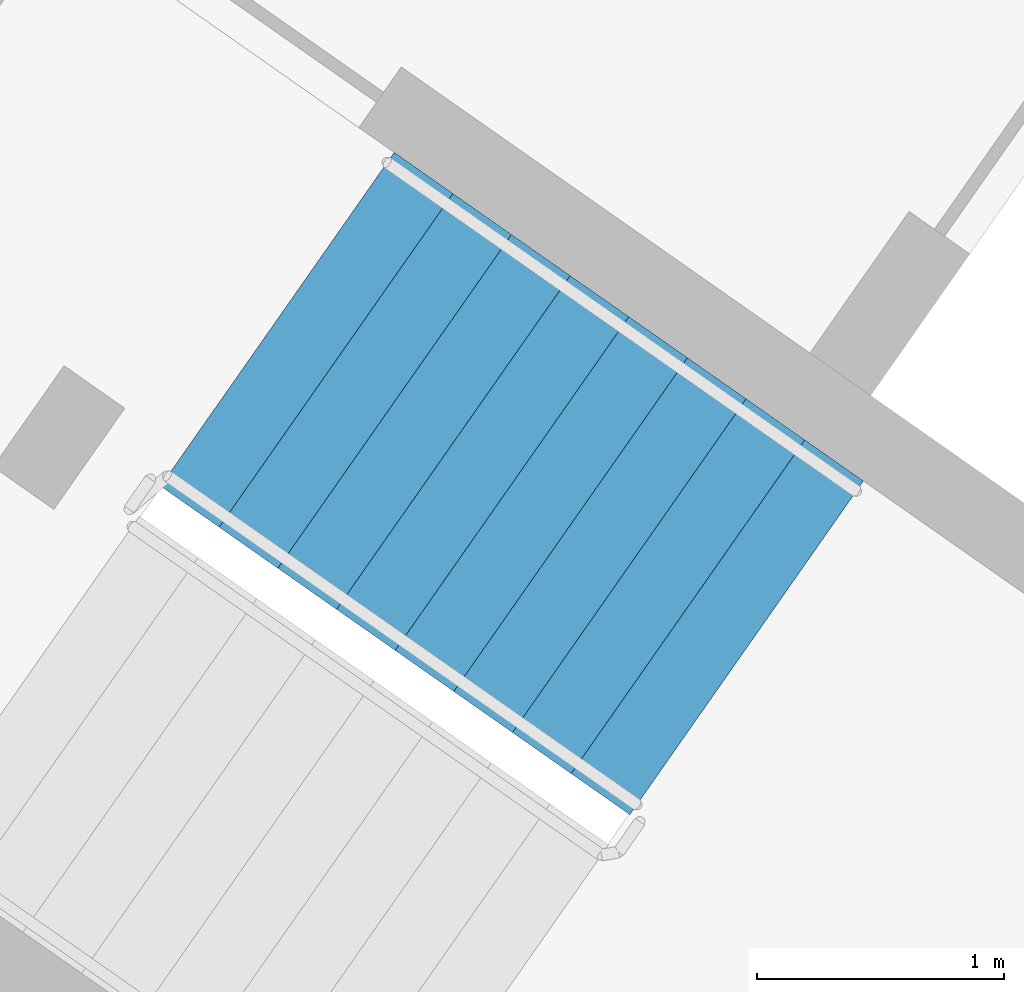
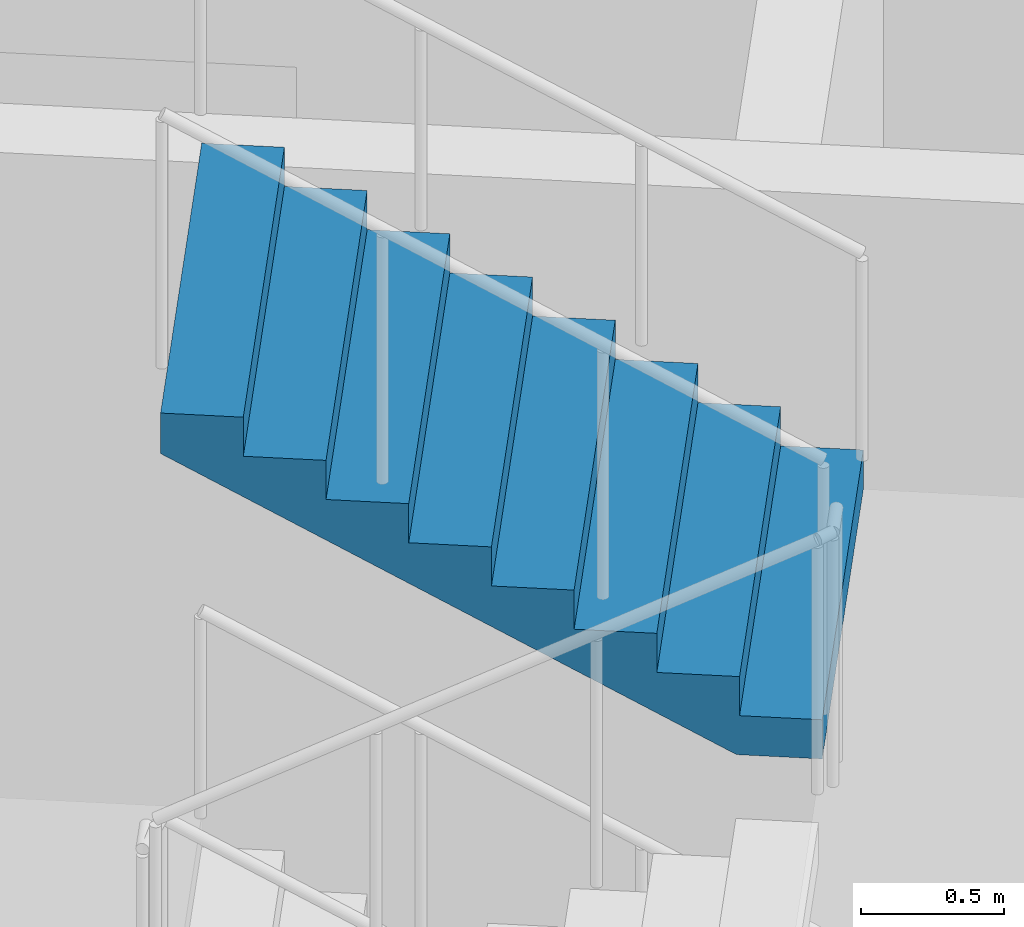
# One storey, part 9 of 41: 1 stair flight, 1 element without a shape of its own.
"""IFC4 building model written with IfcOpenShell, lengths in metres."""

from ifc_helpers import new_model, si_unit, direction, frame, origin, place, context, subcontext, project, spatial, faceted_brep, material, type_object, element, aggregate, save


model = new_model("IFC4")

# Units and contexts
model_context = context("Model", 3, precision=1e-05, world=origin(), true_north=direction((0.0, 1.0)))
body_context = subcontext(model_context, "Body", "Model", "MODEL_VIEW")
ifc_project = project(units=[si_unit("LENGTHUNIT", "METRE"), si_unit("AREAUNIT", "SQUARE_METRE"), si_unit("VOLUMEUNIT", "CUBIC_METRE"), si_unit("PLANEANGLEUNIT", "RADIAN"), si_unit("MASSUNIT", "GRAM", prefix="KILO")], contexts=[model_context])

# Site, building, storey
site_placement = place(None, origin())
site = spatial("IfcSite", under=ifc_project, at=site_placement, CompositionType="ELEMENT")
building_placement = place(site_placement, origin())
building = spatial("IfcBuilding", under=site, at=building_placement, Name="Qamariyya Broadcast Tower", CompositionType="ELEMENT")
storey_placement = place(building_placement, frame((0.0, 0.0, 284.699951171875)))
storey = spatial("IfcBuildingStorey", under=building, at=storey_placement, Name="L69", CompositionType="ELEMENT", Elevation=284.699951171875)

# Stair, stair flight
ifc_material = material(Name="Concrete C50/60", Category="concrete")
stair_type = type_object("IfcStairType", Name="Exit stair 36 risers of 167 mm", PredefinedType="HALF_TURN_STAIR", material=ifc_material)
stair_placement = place(storey_placement, origin())
stair = element("IfcStair", 1, at=stair_placement, inside=storey, type_object=stair_type, Name="L69 Stair W1", PredefinedType="HALF_TURN_STAIR")
stair_flight_type = type_object("IfcStairFlightType", Name="Exit stair flight 9 risers of 167 mm", PredefinedType="STRAIGHT", material=ifc_material)
stair_flight_placement = place(storey_placement, frame((-44.135986328125, -56.8388671875, 4.5), z_axis=(0.0, 0.0, 1.0), x_axis=(-0.819152044289, 0.573576436351, 0.0)))
stair_flight = element("IfcStairFlight", 2, at=stair_flight_placement, type_object=stair_flight_type, Name="ST-W1 flight 4", NumberOfRisers=9, NumberOfTreads=8, PredefinedType="STRAIGHT", RiserHeight=0.166666667, TreadLength=0.29, context=body_context, shape_type="Brep", body=[
    faceted_brep([(0.0, 0.824951171875, 0.0), (0.0, 0.824951171875, 0.166748046875), (0.2900390625, 0.824951171875, 0.166748046875), (0.2900390625, 0.824951171875, 0.333251953125), (0.580078125, 0.824951171875, 0.333251953125), (0.580078125, 0.824951171875, 0.5), (0.8701171875, 0.824951171875, 0.5), (0.8701171875, 0.824951171875, 0.666748046875), (1.159912109375, 0.824951171875, 0.666748046875), (1.159912109375, 0.824951171875, 0.833251953125), (1.449951171875, 0.824951171875, 0.833251953125), (1.449951171875, 0.824951171875, 1.0), (1.739990234375, 0.824951171875, 1.0), (1.739990234375, 0.824951171875, 1.166748046875), (2.030029296875, 0.824951171875, 1.166748046875), (2.030029296875, 0.824951171875, 1.333251953125), (2.320068359375, 0.824951171875, 1.333251953125), (2.320068359375, 0.824951171875, 1.160400390625), (0.30078125, 0.824951171875, 0.0), (0.30078125, -0.824951171875, 0.0), (2.320068359375, -0.824951171875, 1.160400390625), (2.320068359375, -0.824951171875, 1.333251953125), (2.030029296875, -0.824951171875, 1.333251953125), (2.030029296875, -0.824951171875, 1.166748046875), (1.739990234375, -0.824951171875, 1.166748046875), (1.739990234375, -0.824951171875, 1.0), (1.449951171875, -0.824951171875, 1.0), (1.449951171875, -0.824951171875, 0.833251953125), (1.159912109375, -0.824951171875, 0.833251953125), (1.159912109375, -0.824951171875, 0.666748046875), (0.8701171875, -0.824951171875, 0.666748046875), (0.8701171875, -0.824951171875, 0.5), (0.580078125, -0.824951171875, 0.5), (0.580078125, -0.824951171875, 0.333251953125), (0.2900390625, -0.824951171875, 0.333251953125), (0.2900390625, -0.824951171875, 0.166748046875), (0.0, -0.824951171875, 0.166748046875), (0.0, -0.824951171875, 0.0), (0.0, 0.10009765625, 0.0), (0.0, 0.086669921875, 0.0), (0.0, 0.0732421875, 0.0), (0.0, 0.06005859375, 0.0), (0.0, 0.046630859375, 0.0), (0.0, 0.033447265625, 0.0), (0.0, 0.02001953125, 0.0), (0.0, 0.006591796875, 0.0), (0.0, -0.006591796875, 0.0), (0.0, -0.02001953125, 0.0), (0.0, -0.033447265625, 0.0), (0.0, -0.046630859375, 0.0), (0.0, -0.06005859375, 0.0), (0.0, -0.0732421875, 0.0), (0.0, -0.086669921875, 0.0), (0.0, -0.10009765625, 0.0), (0.0, -0.10009765625, 0.166748046875), (0.0, -0.086669921875, 0.166748046875), (0.0, -0.0732421875, 0.166748046875), (0.0, -0.06005859375, 0.166748046875), (0.0, -0.046630859375, 0.166748046875), (0.0, -0.033447265625, 0.166748046875), (0.0, -0.02001953125, 0.166748046875), (0.0, -0.006591796875, 0.166748046875), (0.0, 0.006591796875, 0.166748046875), (0.0, 0.02001953125, 0.166748046875), (0.0, 0.033447265625, 0.166748046875), (0.0, 0.046630859375, 0.166748046875), (0.0, 0.06005859375, 0.166748046875), (0.0, 0.0732421875, 0.166748046875), (0.0, 0.086669921875, 0.166748046875), (0.0, 0.10009765625, 0.166748046875), (0.2900390625, -0.10009765625, 0.166748046875), (0.2900390625, -0.086669921875, 0.166748046875), (0.2900390625, -0.0732421875, 0.166748046875), (0.2900390625, -0.06005859375, 0.166748046875), (0.2900390625, -0.046630859375, 0.166748046875), (0.2900390625, -0.033447265625, 0.166748046875), (0.2900390625, -0.02001953125, 0.166748046875), (0.2900390625, -0.006591796875, 0.166748046875), (0.2900390625, 0.006591796875, 0.166748046875), (0.2900390625, 0.02001953125, 0.166748046875), (0.2900390625, 0.033447265625, 0.166748046875), (0.2900390625, 0.046630859375, 0.166748046875), (0.2900390625, 0.06005859375, 0.166748046875), (0.2900390625, 0.0732421875, 0.166748046875), (0.2900390625, 0.086669921875, 0.166748046875), (0.2900390625, 0.10009765625, 0.166748046875), (0.2900390625, -0.10009765625, 0.333251953125), (0.2900390625, -0.086669921875, 0.333251953125), (0.2900390625, -0.0732421875, 0.333251953125), (0.2900390625, -0.06005859375, 0.333251953125), (0.2900390625, -0.046630859375, 0.333251953125), (0.2900390625, -0.033447265625, 0.333251953125), (0.2900390625, -0.02001953125, 0.333251953125), (0.2900390625, -0.006591796875, 0.333251953125), (0.2900390625, 0.006591796875, 0.333251953125), (0.2900390625, 0.02001953125, 0.333251953125), (0.2900390625, 0.033447265625, 0.333251953125), (0.2900390625, 0.046630859375, 0.333251953125), (0.2900390625, 0.06005859375, 0.333251953125), (0.2900390625, 0.0732421875, 0.333251953125), (0.2900390625, 0.086669921875, 0.333251953125), (0.2900390625, 0.10009765625, 0.333251953125), (0.580078125, -0.10009765625, 0.333251953125), (0.580078125, -0.086669921875, 0.333251953125), (0.580078125, -0.0732421875, 0.333251953125), (0.580078125, -0.06005859375, 0.333251953125), (0.580078125, -0.046630859375, 0.333251953125), (0.580078125, -0.033447265625, 0.333251953125), (0.580078125, -0.02001953125, 0.333251953125), (0.580078125, -0.006591796875, 0.333251953125), (0.580078125, 0.006591796875, 0.333251953125), (0.580078125, 0.02001953125, 0.333251953125), (0.580078125, 0.033447265625, 0.333251953125), (0.580078125, 0.046630859375, 0.333251953125), (0.580078125, 0.06005859375, 0.333251953125), (0.580078125, 0.0732421875, 0.333251953125), (0.580078125, 0.086669921875, 0.333251953125), (0.580078125, 0.10009765625, 0.333251953125), (0.580078125, -0.10009765625, 0.5), (0.580078125, -0.086669921875, 0.5), (0.580078125, -0.0732421875, 0.5), (0.580078125, -0.06005859375, 0.5), (0.580078125, -0.046630859375, 0.5), (0.580078125, -0.033447265625, 0.5), (0.580078125, -0.02001953125, 0.5), (0.580078125, -0.006591796875, 0.5), (0.580078125, 0.006591796875, 0.5), (0.580078125, 0.02001953125, 0.5), (0.580078125, 0.033447265625, 0.5), (0.580078125, 0.046630859375, 0.5), (0.580078125, 0.06005859375, 0.5), (0.580078125, 0.0732421875, 0.5), (0.580078125, 0.086669921875, 0.5), (0.580078125, 0.10009765625, 0.5), (0.8701171875, -0.10009765625, 0.5), (0.8701171875, -0.086669921875, 0.5), (0.8701171875, -0.0732421875, 0.5), (0.8701171875, -0.06005859375, 0.5), (0.8701171875, -0.046630859375, 0.5), (0.8701171875, -0.033447265625, 0.5), (0.8701171875, -0.02001953125, 0.5), (0.8701171875, -0.006591796875, 0.5), (0.8701171875, 0.006591796875, 0.5), (0.8701171875, 0.02001953125, 0.5), (0.8701171875, 0.033447265625, 0.5), (0.8701171875, 0.046630859375, 0.5), (0.8701171875, 0.06005859375, 0.5), (0.8701171875, 0.0732421875, 0.5), (0.8701171875, 0.086669921875, 0.5), (0.8701171875, 0.10009765625, 0.5), (0.8701171875, -0.10009765625, 0.666748046875), (0.8701171875, -0.086669921875, 0.666748046875), (0.8701171875, -0.0732421875, 0.666748046875), (0.8701171875, -0.06005859375, 0.666748046875), (0.8701171875, -0.046630859375, 0.666748046875), (0.8701171875, -0.033447265625, 0.666748046875), (0.8701171875, -0.02001953125, 0.666748046875), (0.8701171875, -0.006591796875, 0.666748046875), (0.8701171875, 0.006591796875, 0.666748046875), (0.8701171875, 0.02001953125, 0.666748046875), (0.8701171875, 0.033447265625, 0.666748046875), (0.8701171875, 0.046630859375, 0.666748046875), (0.8701171875, 0.06005859375, 0.666748046875), (0.8701171875, 0.0732421875, 0.666748046875), (0.8701171875, 0.086669921875, 0.666748046875), (0.8701171875, 0.10009765625, 0.666748046875), (1.159912109375, -0.10009765625, 0.666748046875), (1.159912109375, -0.086669921875, 0.666748046875), (1.159912109375, -0.0732421875, 0.666748046875), (1.159912109375, -0.06005859375, 0.666748046875), (1.159912109375, -0.046630859375, 0.666748046875), (1.159912109375, -0.033447265625, 0.666748046875), (1.159912109375, -0.02001953125, 0.666748046875), (1.159912109375, -0.006591796875, 0.666748046875), (1.159912109375, 0.006591796875, 0.666748046875), (1.159912109375, 0.02001953125, 0.666748046875), (1.159912109375, 0.033447265625, 0.666748046875), (1.159912109375, 0.046630859375, 0.666748046875), (1.159912109375, 0.06005859375, 0.666748046875), (1.159912109375, 0.0732421875, 0.666748046875), (1.159912109375, 0.086669921875, 0.666748046875), (1.159912109375, 0.10009765625, 0.666748046875), (1.159912109375, -0.10009765625, 0.833251953125), (1.159912109375, -0.086669921875, 0.833251953125), (1.159912109375, -0.0732421875, 0.833251953125), (1.159912109375, -0.06005859375, 0.833251953125), (1.159912109375, -0.046630859375, 0.833251953125), (1.159912109375, -0.033447265625, 0.833251953125), (1.159912109375, -0.02001953125, 0.833251953125), (1.159912109375, -0.006591796875, 0.833251953125), (1.159912109375, 0.006591796875, 0.833251953125), (1.159912109375, 0.02001953125, 0.833251953125), (1.159912109375, 0.033447265625, 0.833251953125), (1.159912109375, 0.046630859375, 0.833251953125), (1.159912109375, 0.06005859375, 0.833251953125), (1.159912109375, 0.0732421875, 0.833251953125), (1.159912109375, 0.086669921875, 0.833251953125), (1.159912109375, 0.10009765625, 0.833251953125), (1.449951171875, -0.10009765625, 0.833251953125), (1.449951171875, -0.086669921875, 0.833251953125), (1.449951171875, -0.0732421875, 0.833251953125), (1.449951171875, -0.06005859375, 0.833251953125), (1.449951171875, -0.046630859375, 0.833251953125), (1.449951171875, -0.033447265625, 0.833251953125), (1.449951171875, -0.02001953125, 0.833251953125), (1.449951171875, -0.006591796875, 0.833251953125), (1.449951171875, 0.006591796875, 0.833251953125), (1.449951171875, 0.02001953125, 0.833251953125), (1.449951171875, 0.033447265625, 0.833251953125), (1.449951171875, 0.046630859375, 0.833251953125), (1.449951171875, 0.06005859375, 0.833251953125), (1.449951171875, 0.0732421875, 0.833251953125), (1.449951171875, 0.086669921875, 0.833251953125), (1.449951171875, 0.10009765625, 0.833251953125), (1.449951171875, -0.10009765625, 1.0), (1.449951171875, -0.086669921875, 1.0), (1.449951171875, -0.0732421875, 1.0), (1.449951171875, -0.06005859375, 1.0), (1.449951171875, -0.046630859375, 1.0), (1.449951171875, -0.033447265625, 1.0), (1.449951171875, -0.02001953125, 1.0), (1.449951171875, -0.006591796875, 1.0), (1.449951171875, 0.006591796875, 1.0), (1.449951171875, 0.02001953125, 1.0), (1.449951171875, 0.033447265625, 1.0), (1.449951171875, 0.046630859375, 1.0), (1.449951171875, 0.06005859375, 1.0), (1.449951171875, 0.0732421875, 1.0), (1.449951171875, 0.086669921875, 1.0), (1.449951171875, 0.10009765625, 1.0), (1.739990234375, -0.10009765625, 1.0), (1.739990234375, -0.086669921875, 1.0), (1.739990234375, -0.0732421875, 1.0), (1.739990234375, -0.06005859375, 1.0), (1.739990234375, -0.046630859375, 1.0), (1.739990234375, -0.033447265625, 1.0), (1.739990234375, -0.02001953125, 1.0), (1.739990234375, -0.006591796875, 1.0), (1.739990234375, 0.006591796875, 1.0), (1.739990234375, 0.02001953125, 1.0), (1.739990234375, 0.033447265625, 1.0), (1.739990234375, 0.046630859375, 1.0), (1.739990234375, 0.06005859375, 1.0), (1.739990234375, 0.0732421875, 1.0), (1.739990234375, 0.086669921875, 1.0), (1.739990234375, 0.10009765625, 1.0), (1.739990234375, -0.10009765625, 1.166748046875), (1.739990234375, -0.086669921875, 1.166748046875), (1.739990234375, -0.0732421875, 1.166748046875), (1.739990234375, -0.06005859375, 1.166748046875), (1.739990234375, -0.046630859375, 1.166748046875), (1.739990234375, -0.033447265625, 1.166748046875), (1.739990234375, -0.02001953125, 1.166748046875), (1.739990234375, -0.006591796875, 1.166748046875), (1.739990234375, 0.006591796875, 1.166748046875), (1.739990234375, 0.02001953125, 1.166748046875), (1.739990234375, 0.033447265625, 1.166748046875), (1.739990234375, 0.046630859375, 1.166748046875), (1.739990234375, 0.06005859375, 1.166748046875), (1.739990234375, 0.0732421875, 1.166748046875), (1.739990234375, 0.086669921875, 1.166748046875), (1.739990234375, 0.10009765625, 1.166748046875), (2.030029296875, -0.10009765625, 1.166748046875), (2.030029296875, -0.086669921875, 1.166748046875), (2.030029296875, -0.0732421875, 1.166748046875), (2.030029296875, -0.06005859375, 1.166748046875), (2.030029296875, -0.046630859375, 1.166748046875), (2.030029296875, -0.033447265625, 1.166748046875), (2.030029296875, -0.02001953125, 1.166748046875), (2.030029296875, -0.006591796875, 1.166748046875), (2.030029296875, 0.006591796875, 1.166748046875), (2.030029296875, 0.02001953125, 1.166748046875), (2.030029296875, 0.033447265625, 1.166748046875), (2.030029296875, 0.046630859375, 1.166748046875), (2.030029296875, 0.06005859375, 1.166748046875), (2.030029296875, 0.0732421875, 1.166748046875), (2.030029296875, 0.086669921875, 1.166748046875), (2.030029296875, 0.10009765625, 1.166748046875), (2.030029296875, -0.10009765625, 1.333251953125), (2.030029296875, -0.086669921875, 1.333251953125), (2.030029296875, -0.0732421875, 1.333251953125), (2.030029296875, -0.06005859375, 1.333251953125), (2.030029296875, -0.046630859375, 1.333251953125), (2.030029296875, -0.033447265625, 1.333251953125), (2.030029296875, -0.02001953125, 1.333251953125), (2.030029296875, -0.006591796875, 1.333251953125), (2.030029296875, 0.006591796875, 1.333251953125), (2.030029296875, 0.02001953125, 1.333251953125), (2.030029296875, 0.033447265625, 1.333251953125), (2.030029296875, 0.046630859375, 1.333251953125), (2.030029296875, 0.06005859375, 1.333251953125), (2.030029296875, 0.0732421875, 1.333251953125), (2.030029296875, 0.086669921875, 1.333251953125), (2.030029296875, 0.10009765625, 1.333251953125), (2.320068359375, -0.10009765625, 1.333251953125), (2.320068359375, -0.086669921875, 1.333251953125), (2.320068359375, -0.0732421875, 1.333251953125), (2.320068359375, -0.06005859375, 1.333251953125), (2.320068359375, -0.046630859375, 1.333251953125), (2.320068359375, -0.033447265625, 1.333251953125), (2.320068359375, -0.02001953125, 1.333251953125), (2.320068359375, -0.006591796875, 1.333251953125), (2.320068359375, 0.006591796875, 1.333251953125), (2.320068359375, 0.02001953125, 1.333251953125), (2.320068359375, 0.033447265625, 1.333251953125), (2.320068359375, 0.046630859375, 1.333251953125), (2.320068359375, 0.06005859375, 1.333251953125), (2.320068359375, 0.0732421875, 1.333251953125), (2.320068359375, 0.086669921875, 1.333251953125), (2.320068359375, 0.10009765625, 1.333251953125), (2.320068359375, -0.10009765625, 1.160400390625), (2.320068359375, -0.086669921875, 1.160400390625), (2.320068359375, -0.0732421875, 1.160400390625), (2.320068359375, -0.06005859375, 1.160400390625), (2.320068359375, -0.046630859375, 1.160400390625), (2.320068359375, -0.033447265625, 1.160400390625), (2.320068359375, -0.02001953125, 1.160400390625), (2.320068359375, -0.006591796875, 1.160400390625), (2.320068359375, 0.006591796875, 1.160400390625), (2.320068359375, 0.02001953125, 1.160400390625), (2.320068359375, 0.033447265625, 1.160400390625), (2.320068359375, 0.046630859375, 1.160400390625), (2.320068359375, 0.06005859375, 1.160400390625), (2.320068359375, 0.0732421875, 1.160400390625), (2.320068359375, 0.086669921875, 1.160400390625), (2.320068359375, 0.10009765625, 1.160400390625), (0.30078125, -0.10009765625, 0.0), (0.30078125, -0.086669921875, 0.0), (0.30078125, -0.0732421875, 0.0), (0.30078125, -0.06005859375, 0.0), (0.30078125, -0.046630859375, 0.0), (0.30078125, -0.033447265625, 0.0), (0.30078125, -0.02001953125, 0.0), (0.30078125, -0.006591796875, 0.0), (0.30078125, 0.006591796875, 0.0), (0.30078125, 0.02001953125, 0.0), (0.30078125, 0.033447265625, 0.0), (0.30078125, 0.046630859375, 0.0), (0.30078125, 0.06005859375, 0.0), (0.30078125, 0.0732421875, 0.0), (0.30078125, 0.086669921875, 0.0), (0.30078125, 0.10009765625, 0.0)], [[[0, 1, 2, 3, 4, 5, 6, 7, 8, 9, 10, 11, 12, 13, 14, 15, 16, 17, 18]], [[19, 20, 21, 22, 23, 24, 25, 26, 27, 28, 29, 30, 31, 32, 33, 34, 35, 36, 37]], [[0, 38, 39, 40, 41, 42, 43, 44, 45, 46, 47, 48, 49, 50, 51, 52, 53, 37, 36, 54, 55, 56, 57, 58, 59, 60, 61, 62, 63, 64, 65, 66, 67, 68, 69, 1]], [[1, 69, 68, 67, 66, 65, 64, 63, 62, 61, 60, 59, 58, 57, 56, 55, 54, 36, 35, 70, 71, 72, 73, 74, 75, 76, 77, 78, 79, 80, 81, 82, 83, 84, 85, 2]], [[2, 85, 84, 83, 82, 81, 80, 79, 78, 77, 76, 75, 74, 73, 72, 71, 70, 35, 34, 86, 87, 88, 89, 90, 91, 92, 93, 94, 95, 96, 97, 98, 99, 100, 101, 3]], [[3, 101, 100, 99, 98, 97, 96, 95, 94, 93, 92, 91, 90, 89, 88, 87, 86, 34, 33, 102, 103, 104, 105, 106, 107, 108, 109, 110, 111, 112, 113, 114, 115, 116, 117, 4]], [[4, 117, 116, 115, 114, 113, 112, 111, 110, 109, 108, 107, 106, 105, 104, 103, 102, 33, 32, 118, 119, 120, 121, 122, 123, 124, 125, 126, 127, 128, 129, 130, 131, 132, 133, 5]], [[5, 133, 132, 131, 130, 129, 128, 127, 126, 125, 124, 123, 122, 121, 120, 119, 118, 32, 31, 134, 135, 136, 137, 138, 139, 140, 141, 142, 143, 144, 145, 146, 147, 148, 149, 6]], [[6, 149, 148, 147, 146, 145, 144, 143, 142, 141, 140, 139, 138, 137, 136, 135, 134, 31, 30, 150, 151, 152, 153, 154, 155, 156, 157, 158, 159, 160, 161, 162, 163, 164, 165, 7]], [[7, 165, 164, 163, 162, 161, 160, 159, 158, 157, 156, 155, 154, 153, 152, 151, 150, 30, 29, 166, 167, 168, 169, 170, 171, 172, 173, 174, 175, 176, 177, 178, 179, 180, 181, 8]], [[8, 181, 180, 179, 178, 177, 176, 175, 174, 173, 172, 171, 170, 169, 168, 167, 166, 29, 28, 182, 183, 184, 185, 186, 187, 188, 189, 190, 191, 192, 193, 194, 195, 196, 197, 9]], [[9, 197, 196, 195, 194, 193, 192, 191, 190, 189, 188, 187, 186, 185, 184, 183, 182, 28, 27, 198, 199, 200, 201, 202, 203, 204, 205, 206, 207, 208, 209, 210, 211, 212, 213, 10]], [[10, 213, 212, 211, 210, 209, 208, 207, 206, 205, 204, 203, 202, 201, 200, 199, 198, 27, 26, 214, 215, 216, 217, 218, 219, 220, 221, 222, 223, 224, 225, 226, 227, 228, 229, 11]], [[11, 229, 228, 227, 226, 225, 224, 223, 222, 221, 220, 219, 218, 217, 216, 215, 214, 26, 25, 230, 231, 232, 233, 234, 235, 236, 237, 238, 239, 240, 241, 242, 243, 244, 245, 12]], [[12, 245, 244, 243, 242, 241, 240, 239, 238, 237, 236, 235, 234, 233, 232, 231, 230, 25, 24, 246, 247, 248, 249, 250, 251, 252, 253, 254, 255, 256, 257, 258, 259, 260, 261, 13]], [[13, 261, 260, 259, 258, 257, 256, 255, 254, 253, 252, 251, 250, 249, 248, 247, 246, 24, 23, 262, 263, 264, 265, 266, 267, 268, 269, 270, 271, 272, 273, 274, 275, 276, 277, 14]], [[14, 277, 276, 275, 274, 273, 272, 271, 270, 269, 268, 267, 266, 265, 264, 263, 262, 23, 22, 278, 279, 280, 281, 282, 283, 284, 285, 286, 287, 288, 289, 290, 291, 292, 293, 15]], [[15, 293, 292, 291, 290, 289, 288, 287, 286, 285, 284, 283, 282, 281, 280, 279, 278, 22, 21, 294, 295, 296, 297, 298, 299, 300, 301, 302, 303, 304, 305, 306, 307, 308, 309, 16]], [[16, 309, 308, 307, 306, 305, 304, 303, 302, 301, 300, 299, 298, 297, 296, 295, 294, 21, 20, 310, 311, 312, 313, 314, 315, 316, 317, 318, 319, 320, 321, 322, 323, 324, 325, 17]], [[17, 325, 324, 323, 322, 321, 320, 319, 318, 317, 316, 315, 314, 313, 312, 311, 310, 20, 19, 326, 327, 328, 329, 330, 331, 332, 333, 334, 335, 336, 337, 338, 339, 340, 341, 18]], [[18, 341, 340, 339, 338, 337, 336, 335, 334, 333, 332, 331, 330, 329, 328, 327, 326, 19, 37, 53, 52, 51, 50, 49, 48, 47, 46, 45, 44, 43, 42, 41, 40, 39, 38, 0]]]),
])
aggregate(stair, [stair_flight])

save(model, "model.ifc")
